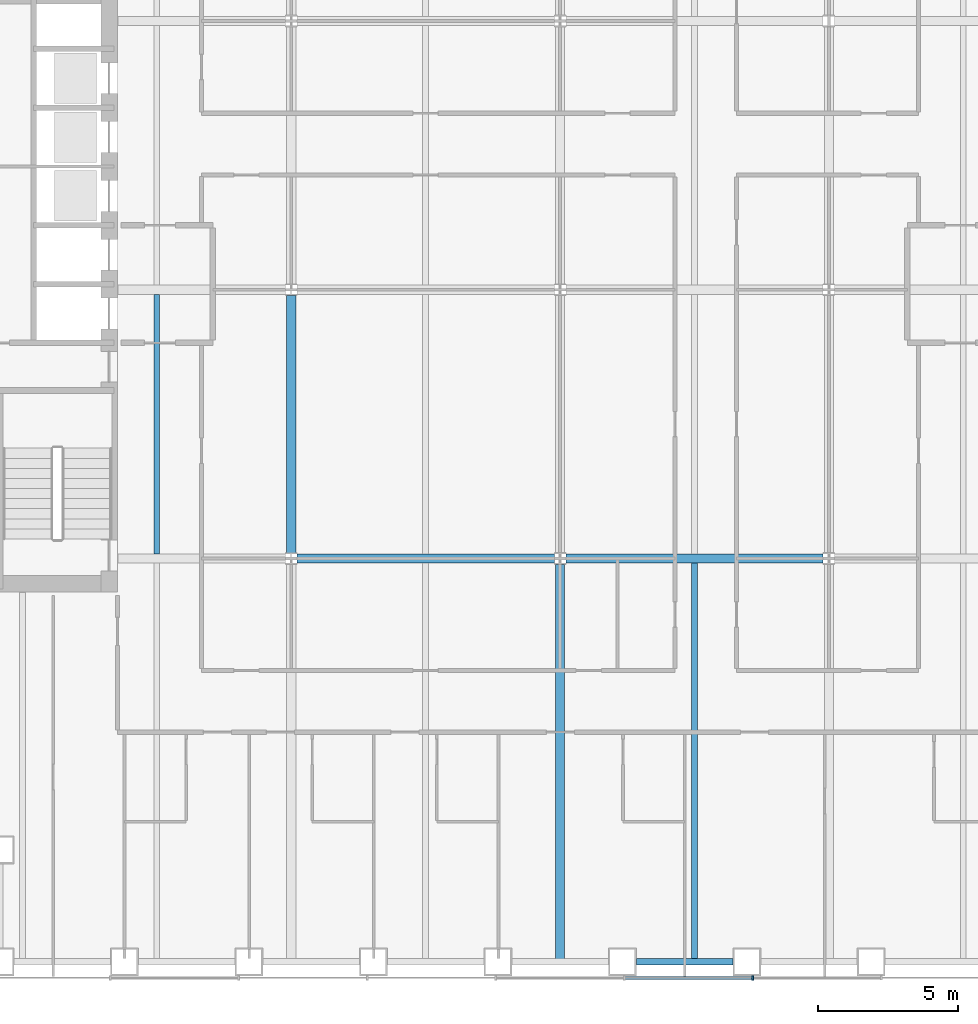
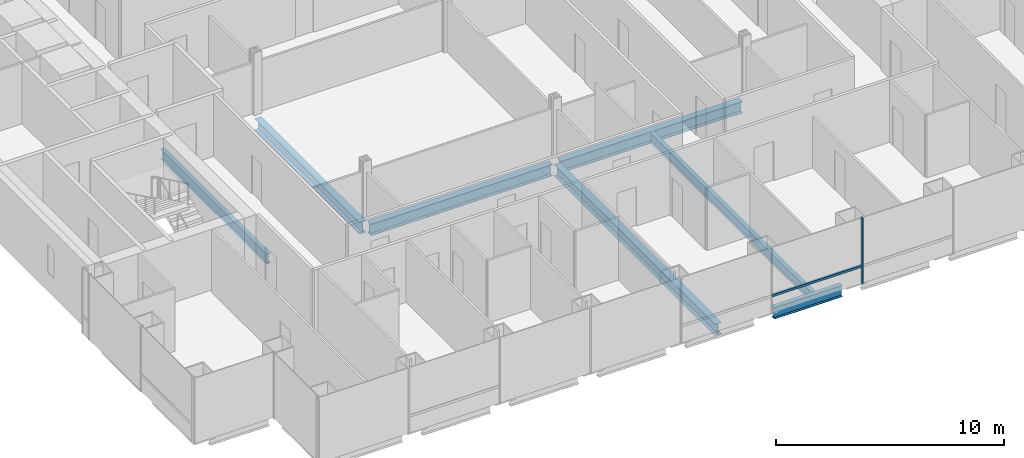
# One storey, part 3 of 23: 7 beams, 2 members, 1 element without a shape of its own.
"""IFC4 building model written with IfcOpenShell, lengths in metres."""

from ifc_helpers import new_model, si_unit, direction, frame, origin, origin_2d, place, context, subcontext, project, spatial, rectangle, i_section, extrude, material, material_profile, profile_set, type_object, element, aggregate, save


model = new_model("IFC4")

# Units and contexts
model_context = context("Model", 3, precision=1e-05, world=origin(), true_north=direction((0.0, 1.0)))
body_context = subcontext(model_context, "Body", "Model", "MODEL_VIEW")
ifc_project = project(units=[si_unit("LENGTHUNIT", "METRE"), si_unit("AREAUNIT", "SQUARE_METRE"), si_unit("VOLUMEUNIT", "CUBIC_METRE"), si_unit("PLANEANGLEUNIT", "RADIAN"), si_unit("MASSUNIT", "GRAM", prefix="KILO")], contexts=[model_context])

# Site, building, storey
site_placement = place(None, origin())
site = spatial("IfcSite", under=ifc_project, at=site_placement, CompositionType="ELEMENT")
building_placement = place(site_placement, origin())
building = spatial("IfcBuilding", under=site, at=building_placement, Name="Cobrizo Arcos Hotel Tower", CompositionType="ELEMENT")
storey_placement = place(building_placement, frame((0.0, 0.0, 49.5)))
storey = spatial("IfcBuildingStorey", under=building, at=storey_placement, Name="L10", CompositionType="ELEMENT", Elevation=49.5)

# Curtain wall, members
ifc_material_1 = material(Name="Aluminium 6063-T6 anodised bronze", Category="aluminium")
curtain_wall_type = type_object("IfcCurtainWallType", Name="CW-A guest facade", PredefinedType="NOTDEFINED", material=ifc_material_1)
curtain_wall_placement = place(storey_placement, origin())
curtain_wall = element("IfcCurtainWall", 1, at=curtain_wall_placement, inside=storey, type_object=curtain_wall_type, Name="CW-A L10 S face", PredefinedType="NOTDEFINED")
ifc_material_profile_1 = material_profile(ifc_material_1, rectangle(XDim=0.14990234375, YDim=0.06005859375, at=origin_2d()), Name="CW-A mullion 150x60")
ifc_profile_set_1 = profile_set([ifc_material_profile_1], Name="Aluminium 6063-T6 anodised bronze")
member_type_1 = type_object("IfcMemberType", Name="CW-A mullion 150x60", PredefinedType="MULLION", material=ifc_profile_set_1)
member_1_placement = place(storey_placement, frame((6.88330078125, -24.574951171875, 0.0), z_axis=(0.0, 0.0, 1.0), x_axis=(0.0, -1.0, 0.0)))
member_1 = element("IfcMember", 2, at=member_1_placement, type_object=member_type_1, Name="CW-A mullion 7", PredefinedType="MULLION", context=body_context, shape_type="SweptSolid", body=[
    extrude(rectangle(XDim=0.14990234375, YDim=0.06005859375, at=origin_2d()), origin(), (0.0, 0.0, 1.0), 3.5),
])
ifc_material_profile_2 = material_profile(ifc_material_1, rectangle(XDim=0.10009765625, YDim=0.1201171875, at=origin_2d()), Name="CW-A transom 120x100")
ifc_profile_set_2 = profile_set([ifc_material_profile_2], Name="Aluminium 6063-T6 anodised bronze")
member_type_2 = type_object("IfcMemberType", Name="CW-A transom 120x100", PredefinedType="USERDEFINED", material=ifc_profile_set_2)
member_2_placement = place(storey_placement, frame((2.324462890625, -24.574951171875, 0.929931640625), z_axis=(1.0, 0.0, 0.0), x_axis=(0.0, 1.0, 0.0)))
member_2 = element("IfcMember", 3, at=member_2_placement, type_object=member_type_2, Name="CW-A transom 480", ObjectType="TRANSOM", PredefinedType="USERDEFINED", context=body_context, shape_type="SweptSolid", body=[
    extrude(rectangle(XDim=0.10009765625, YDim=0.1201171875, at=origin_2d()), origin(), (0.0, 0.0, 1.0), 4.52880859375),
])
aggregate(curtain_wall, [member_1, member_2])

# Beams
ifc_material_2 = material(Name="Steel ASTM A992 Grade 50", Category="steel")
ifc_material_profile_3 = material_profile(ifc_material_2, i_section(OverallWidth=0.209228515625, OverallDepth=0.533447265625, WebThickness=0.01025390625, FlangeThickness=0.015625, at=origin_2d()), Name="W21X62")
ifc_profile_set_3 = profile_set([ifc_material_profile_3], Name="Steel ASTM A992 Grade 50")
beam_type_1 = type_object("IfcBeamType", Name="W21X62 joist", PredefinedType="JOIST", material=ifc_profile_set_3)
beam_1_placement = place(storey_placement, frame((-14.39990234375, -9.43603515625, -0.416748046875), z_axis=(0.0, 1.0, 0.0), x_axis=(-1.0, 0.0, 0.0)))
element("IfcBeam", 4, at=beam_1_placement, inside=storey, type_object=beam_type_1, Name="Floor joist J1, L10, no. 004", PredefinedType="JOIST", context=body_context, shape_type="SweptSolid", body=[
    extrude(i_section(OverallWidth=0.209228515625, OverallDepth=0.533447265625, WebThickness=0.01025390625, FlangeThickness=0.015625, at=origin_2d()), origin(), (0.0, 0.0, 1.0), 9.272216796875),
])
beam_2_placement = place(storey_placement, frame((4.800048828125, -23.909912109375, -0.416748046875), z_axis=(0.0, 1.0, 0.0), x_axis=(-1.0, 0.0, 0.0)))
element("IfcBeam", 5, at=beam_2_placement, inside=storey, type_object=beam_type_1, Name="Floor joist J1, L10, no. 011", PredefinedType="JOIST", context=body_context, shape_type="SweptSolid", body=[
    extrude(i_section(OverallWidth=0.209228515625, OverallDepth=0.533447265625, WebThickness=0.01025390625, FlangeThickness=0.015625, at=origin_2d()), origin(), (0.0, 0.0, 1.0), 14.14599609375),
])
ifc_material_profile_4 = material_profile(ifc_material_2, i_section(OverallWidth=0.32763671875, OverallDepth=0.622314453125, WebThickness=0.015380859375, FlangeThickness=0.0244140625, at=origin_2d()), Name="W24X131")
ifc_profile_set_4 = profile_set([ifc_material_profile_4], Name="Steel ASTM A992 Grade 50")
beam_type_2 = type_object("IfcBeamType", Name="W24X131 girder", PredefinedType="BEAM", material=ifc_profile_set_4)
for number, where, z_axis, x_axis, name in (
    (6, (-9.3955078125, -9.60009765625, -0.461181640625), (1.0, 0.0, 0.0), (0.0, 1.0, 0.0), "Floor girder G1, L10, no. 002"),
    (7, (0.204345703125, -9.60009765625, -0.461181640625), (1.0, 0.0, 0.0), (0.0, 1.0, 0.0), "Floor girder G1, L10, no. 003"),
    (8, (-9.60009765625, -9.3955078125, -0.461181640625), (0.0, 1.0, 0.0), (-1.0, 0.0, 0.0), "Floor girder G1, L10, no. 014"),
):
    element("IfcBeam", number, at=place(storey_placement, frame(where, z_axis=z_axis, x_axis=x_axis)), inside=storey, type_object=beam_type_2, Name=name, PredefinedType="BEAM", context=body_context, shape_type="SweptSolid", body=[
        extrude(i_section(OverallWidth=0.32763671875, OverallDepth=0.622314453125, WebThickness=0.015380859375, FlangeThickness=0.0244140625, at=origin_2d()), origin(), (0.0, 0.0, 1.0), 9.191162109375),
    ])
beam_3_placement = place(storey_placement, frame((0.0, -23.909912109375, -0.461181640625), z_axis=(0.0, 1.0, 0.0), x_axis=(-1.0, 0.0, 0.0)))
element("IfcBeam", 9, at=beam_3_placement, inside=storey, type_object=beam_type_2, Name="Floor girder G1, L10, no. 017", PredefinedType="BEAM", context=body_context, shape_type="SweptSolid", body=[
    extrude(i_section(OverallWidth=0.32763671875, OverallDepth=0.622314453125, WebThickness=0.015380859375, FlangeThickness=0.0244140625, at=origin_2d()), origin(), (0.0, 0.0, 1.0), 14.10546875),
])
ifc_material_profile_5 = material_profile(ifc_material_2, i_section(OverallWidth=0.23046875, OverallDepth=0.6171875, WebThickness=0.01318359375, FlangeThickness=0.022216796875, at=origin_2d()), Name="W24X94")
ifc_profile_set_5 = profile_set([ifc_material_profile_5], Name="Steel ASTM A992 Grade 50")
beam_type_3 = type_object("IfcBeamType", Name="W24X94 spandrel", PredefinedType="SPANDREL", material=ifc_profile_set_5)
beam_4_placement = place(storey_placement, frame((2.721923828125, -24.0, -0.45849609375), z_axis=(1.0, 0.0, 0.0), x_axis=(0.0, 1.0, 0.0)))
element("IfcBeam", 10, at=beam_4_placement, inside=storey, type_object=beam_type_3, Name="Spandrel beam W24X94, L10, no. 006", PredefinedType="SPANDREL", context=body_context, shape_type="SweptSolid", body=[
    extrude(i_section(OverallWidth=0.23046875, OverallDepth=0.6171875, WebThickness=0.01318359375, FlangeThickness=0.022216796875, at=origin_2d()), origin(), (0.0, 0.0, 1.0), 3.445068359375),
])

save(model, "model.ifc")
